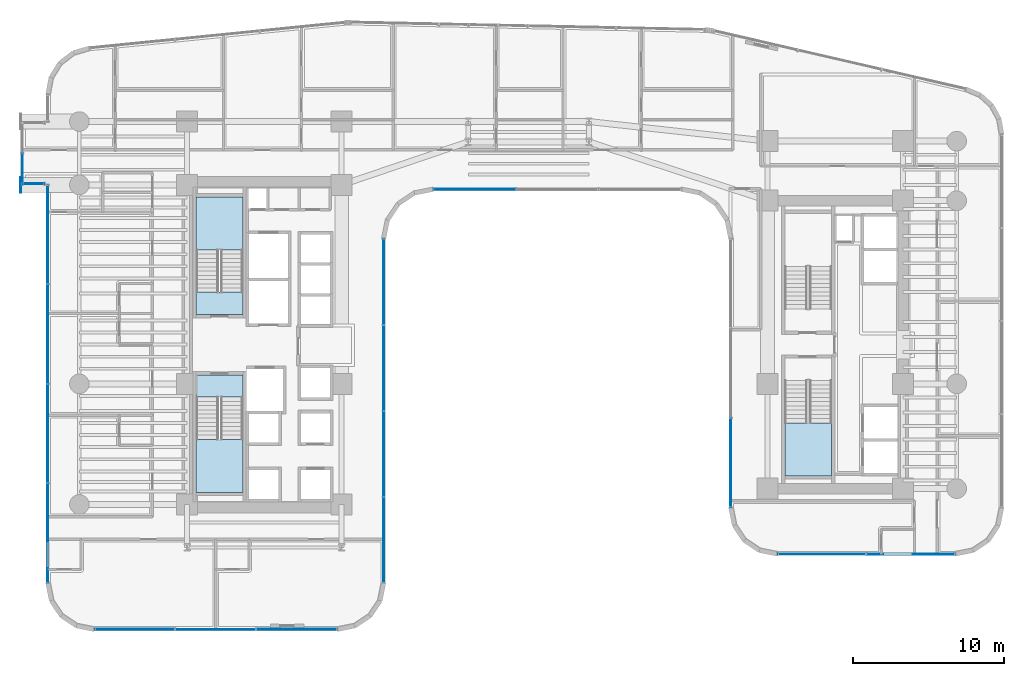
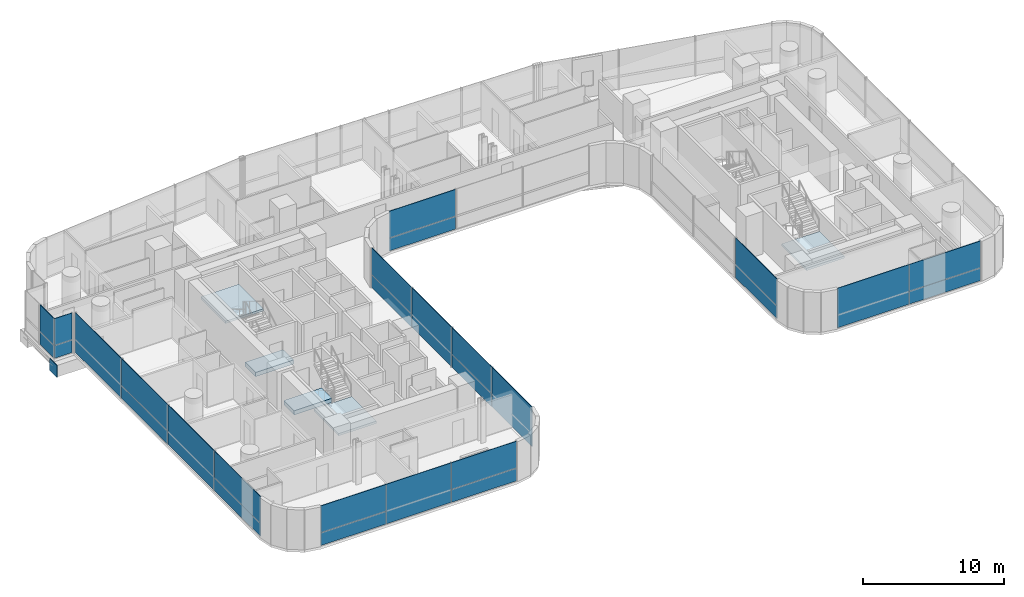
# One storey, part 29 of 42: 29 plates, 5 slabs, 11 elements without a shape of their own.
"""IFC4 building model written with IfcOpenShell, lengths in metres."""

from ifc_helpers import new_model, si_unit, direction, frame, origin, origin_2d, place, context, subcontext, project, spatial, polyline, rectangle, outline, extrude, source, transform, mapped, material, layer, layer_set, type_object, element, aggregate, save


model = new_model("IFC4")

# Units and contexts
model_context = context("Model", 3, precision=1e-05, world=origin(), true_north=direction((0.0, 1.0)))
body_context = subcontext(model_context, "Body", "Model", "MODEL_VIEW")
ifc_project = project(units=[si_unit("LENGTHUNIT", "METRE"), si_unit("AREAUNIT", "SQUARE_METRE"), si_unit("VOLUMEUNIT", "CUBIC_METRE"), si_unit("PLANEANGLEUNIT", "RADIAN"), si_unit("MASSUNIT", "GRAM", prefix="KILO")], contexts=[model_context])

# Site, building, storey
site_placement = place(None, origin())
site = spatial("IfcSite", under=ifc_project, at=site_placement, CompositionType="ELEMENT")
building_placement = place(site_placement, origin())
building = spatial("IfcBuilding", under=site, at=building_placement, Name="Valdorenza Pilgrim Sanctuary Tower", CompositionType="ELEMENT")
storey_placement = place(building_placement, frame((0.0, 0.0, 55.60009765625)))
storey = spatial("IfcBuildingStorey", under=building, at=storey_placement, Name="L13", CompositionType="ELEMENT", Elevation=55.60009765625)

# Stair, slab
ifc_material_1 = material(Name="Concrete C40/50", Category="concrete")
stair_type = type_object("IfcStairType", Name="STR-DOG-CORE", PredefinedType="HALF_TURN_STAIR", material=ifc_material_1)
stair_1_placement = place(storey_placement, origin())
stair_1 = element("IfcStair", 1, at=stair_1_placement, inside=storey, type_object=stair_type, Name="L13 ST-A1", PredefinedType="HALF_TURN_STAIR")
ifc_layer_1 = layer(ifc_material_1, 0.199951171875, Name="Concrete C40/50")
ifc_layer_set_1 = layer_set([ifc_layer_1], Name="Concrete C40/50")
slab_type_1 = type_object("IfcSlabType", Name="SLAB-STL-200", PredefinedType="LANDING", material=ifc_layer_set_1)
slab_1_placement = place(storey_placement, frame((0.0, 0.0, 1.64990234375)))
slab_1 = element("IfcSlab", 2, at=slab_1_placement, type_object=slab_type_1, Name="ST-A1 landing 1", PredefinedType="LANDING", context=body_context, shape_type="SweptSolid", body=[
    extrude(outline(polyline([(-18.93994140625, 6.280029296875), (-18.93994140625, 9.800048828125), (-22.050048828125, 9.800048828125), (-22.050048828125, 6.280029296875), (-18.93994140625, 6.280029296875)])), origin(), (0.0, 0.0, 1.0), 0.199951171875),
])
aggregate(stair_1, [slab_1])

stair_2_placement = place(storey_placement, origin())
stair_2 = element("IfcStair", 3, at=stair_2_placement, inside=storey, type_object=stair_type, Name="L13 ST-A2", PredefinedType="HALF_TURN_STAIR")
slab_2_placement = place(storey_placement, frame((0.0, 0.0, 1.64990234375)))
slab_2 = element("IfcSlab", 4, at=slab_2_placement, type_object=slab_type_1, Name="ST-A2 landing 1", PredefinedType="LANDING", context=body_context, shape_type="SweptSolid", body=[
    extrude(outline(polyline([(-22.050048828125, -6.280029296875), (-22.050048828125, -9.800048828125), (-18.93994140625, -9.800048828125), (-18.93994140625, -6.280029296875), (-22.050048828125, -6.280029296875)])), origin(), (0.0, 0.0, 1.0), 0.199951171875),
])
aggregate(stair_2, [slab_2])

stair_3_placement = place(storey_placement, origin())
stair_3 = element("IfcStair", 5, at=stair_3_placement, inside=storey, type_object=stair_type, Name="L13 ST-B2", PredefinedType="HALF_TURN_STAIR")
slab_3_placement = place(storey_placement, frame((0.0, 0.0, 1.64990234375)))
slab_3 = element("IfcSlab", 6, at=slab_3_placement, type_object=slab_type_1, Name="ST-B2 landing 1", PredefinedType="LANDING", context=body_context, shape_type="SweptSolid", body=[
    extrude(outline(polyline([(17.0, -5.179931640625), (17.0, -8.699951171875), (20.110107421875, -8.699951171875), (20.110107421875, -5.179931640625), (17.0, -5.179931640625)])), origin(), (0.0, 0.0, 1.0), 0.199951171875),
])
aggregate(stair_3, [slab_3])

# Slabs
ifc_material_2 = material(Name="Concrete C50/60", Category="concrete")
ifc_layer_2 = layer(ifc_material_2, 0.39990234375, Name="Concrete C50/60")
ifc_layer_set_2 = layer_set([ifc_layer_2], Name="Concrete C50/60")
slab_type_2 = type_object("IfcSlabType", Name="SLAB-TRF-400", PredefinedType="FLOOR", material=ifc_layer_set_2)
slab_4_placement = place(storey_placement, frame((0.0, 0.0, -0.360107421875)))
element("IfcSlab", 7, at=slab_4_placement, inside=storey, type_object=slab_type_2, Name="L13 ST-A1 Structural Stair Landing Bearing Slab", PredefinedType="FLOOR", context=body_context, shape_type="SweptSolid", body=[
    extrude(outline(polyline([(-22.050048828125, 2.0), (-18.93994140625, 2.0), (-18.93994140625, 3.485107421875), (-22.050048828125, 3.485107421875), (-22.050048828125, 2.0)])), origin(), (0.0, 0.0, 1.0), 0.360107421875),
])
slab_5_placement = place(storey_placement, frame((0.0, 0.0, -0.360107421875)))
element("IfcSlab", 8, at=slab_5_placement, inside=storey, type_object=slab_type_2, Name="L13 ST-A2 Structural Stair Landing Bearing Slab", PredefinedType="FLOOR", context=body_context, shape_type="SweptSolid", body=[
    extrude(outline(polyline([(-22.050048828125, -3.485107421875), (-18.93994140625, -3.485107421875), (-18.93994140625, -2.0), (-22.050048828125, -2.0), (-22.050048828125, -3.485107421875)])), origin(), (0.0, 0.0, 1.0), 0.360107421875),
])

# Plate
ifc_material_3 = material(Name="Steel ASTM A572 Grade 42", Category="steel")
ifc_layer_3 = layer(ifc_material_3, 0.06005859375, Name="Steel ASTM A572 Grade 42")
ifc_layer_set_3 = layer_set([ifc_layer_3], Name="Steel ASTM A572 Grade 42")
plate_type_1 = type_object("IfcPlateType", Name="PLT-CAP-60", PredefinedType="SHEET", material=ifc_layer_set_3)
shared_shape_1 = source(origin(), body_context, "Body", "SweptSolid", [
    extrude(rectangle(XDim=0.06005859375, YDim=1.0400390625, at=origin_2d()), origin(), (0.0, 0.0, 1.0), 1.0400390625),
])
plate_1_placement = place(storey_placement, frame((-33.679931640625, 10.60009765625, -1.260009765625), z_axis=(0.0, 0.0, 1.0), x_axis=(1.0, 0.0, 0.0)))
element("IfcPlate", 9, at=plate_1_placement, inside=storey, type_object=plate_type_1, Name="L13 BOX-WA-L13 Cantilever Tip End Cap S", PredefinedType="SHEET", context=body_context, shape_type="MappedRepresentation", body=[
    mapped(shared_shape_1, transform((0.0, 0.0, 0.0), x_axis=(1.0, 0.0, 0.0), y_axis=(0.0, 1.0, 0.0), z_axis=(0.0, 0.0, 1.0), scale=1.0)),
])

# Curtain wall, plates
ifc_material_4 = material(Name="Curtain-wall IGU glazing", Category="glass")
curtain_wall_type_1 = type_object("IfcCurtainWallType", Name="CW-SYS-03", PredefinedType="NOTDEFINED", material=ifc_material_4)
curtain_wall_1_placement = place(storey_placement, origin())
curtain_wall_1 = element("IfcCurtainWall", 10, at=curtain_wall_1_placement, inside=storey, type_object=curtain_wall_type_1, Name="L13 Curtain Wall CW-L13-1-26", PredefinedType="NOTDEFINED")
ifc_material_5 = material(Name="Honed travertine limestone", Category="masonry")
ifc_layer_4 = layer(ifc_material_5, 0.050048828125, Name="Honed travertine limestone")
ifc_layer_set_4 = layer_set([ifc_layer_4], Name="Honed travertine limestone")
plate_type_2 = type_object("IfcPlateType", Name="CW-SPN-TRV", PredefinedType="USERDEFINED", material=ifc_layer_set_4)
shared_shape_2 = source(origin(), body_context, "Body", "SweptSolid", [
    extrude(rectangle(XDim=5.869140625, YDim=0.06005859375, at=origin_2d()), origin(), (0.0, 0.0, 1.0), 1.10009765625),
])
plate_2_placement = place(storey_placement, frame((25.344482421875, -13.889892578125, 0.009765625), z_axis=(0.0, 0.0, 1.0), x_axis=(-1.0, 0.0, 0.0)))
plate_2 = element("IfcPlate", 11, at=plate_2_placement, type_object=plate_type_2, Name="CW-L13-1-26 Travertine Spandrel 1", ObjectType="SPANDREL", PredefinedType="USERDEFINED", context=body_context, shape_type="MappedRepresentation", body=[
    mapped(shared_shape_2, transform((0.0, 0.0, 0.0), x_axis=(1.0, 0.0, 0.0), y_axis=(0.0, 1.0, 0.0), z_axis=(0.0, 0.0, 1.0), scale=1.0)),
])
ifc_material_6 = material(Name="Ceramic-fritted low-E IGU glazing", Category="glass")
ifc_layer_5 = layer(ifc_material_6, 0.035888671875, Name="Ceramic-fritted low-E IGU glazing")
ifc_layer_set_5 = layer_set([ifc_layer_5], Name="Ceramic-fritted low-E IGU glazing")
plate_type_3 = type_object("IfcPlateType", Name="CW-GLZ-IGU", PredefinedType="USERDEFINED", material=ifc_layer_set_5)
shared_shape_3 = source(origin(), body_context, "Body", "SweptSolid", [
    extrude(rectangle(XDim=5.869140625, YDim=0.050048828125, at=origin_2d()), origin(), (0.0, 0.0, 1.0), 2.320068359375),
])
plate_3_placement = place(storey_placement, frame((25.344482421875, -13.889892578125, 1.1298828125), z_axis=(0.0, 0.0, 1.0), x_axis=(-1.0, 0.0, 0.0)))
plate_3 = element("IfcPlate", 12, at=plate_3_placement, type_object=plate_type_3, Name="CW-L13-1-26 Facade Panel 1", ObjectType="GLAZING", PredefinedType="USERDEFINED", context=body_context, shape_type="MappedRepresentation", body=[
    mapped(shared_shape_3, transform((0.0, 0.0, 0.0), x_axis=(1.0, 0.0, 0.0), y_axis=(0.0, 1.0, 0.0), z_axis=(0.0, 0.0, 1.0), scale=1.0)),
])
shared_shape_4 = source(origin(), body_context, "Body", "SweptSolid", [
    extrude(rectangle(XDim=5.869140625, YDim=0.050048828125, at=origin_2d()), origin(), (0.0, 0.0, 1.0), 3.43994140625),
])
plate_4_placement = place(storey_placement, frame((19.455322265625, -13.889892578125, 0.010009765625), z_axis=(0.0, 0.0, 1.0), x_axis=(-1.0, 0.0, 0.0)))
plate_4 = element("IfcPlate", 13, at=plate_4_placement, type_object=plate_type_3, Name="CW-L13-1-26 Full-Height Facade Panel 2", ObjectType="GLAZING", PredefinedType="USERDEFINED", context=body_context, shape_type="MappedRepresentation", body=[
    mapped(shared_shape_4, transform((0.0, 0.0, 0.0), x_axis=(1.0, 0.0, 0.0), y_axis=(0.0, 1.0, 0.0), z_axis=(0.0, 0.0, 1.0), scale=1.0)),
])
aggregate(curtain_wall_1, [plate_2, plate_3, plate_4])

curtain_wall_2_placement = place(storey_placement, origin())
curtain_wall_2 = element("IfcCurtainWall", 14, at=curtain_wall_2_placement, inside=storey, type_object=curtain_wall_type_1, Name="L13 Curtain Wall CW-L13-1-31", PredefinedType="NOTDEFINED")
shared_shape_5 = source(origin(), body_context, "Body", "SweptSolid", [
    extrude(rectangle(XDim=5.913330078125, YDim=0.06005859375, at=origin_2d()), origin(), (0.0, 0.0, 1.0), 1.10009765625),
])
plate_5_placement = place(storey_placement, frame((13.409912109375, -7.822509765625, 0.009765625), z_axis=(0.0, 0.0, 1.0), x_axis=(0.0, 1.0, 0.0)))
plate_5 = element("IfcPlate", 15, at=plate_5_placement, type_object=plate_type_2, Name="CW-L13-1-31 Travertine Spandrel 1", ObjectType="SPANDREL", PredefinedType="USERDEFINED", context=body_context, shape_type="MappedRepresentation", body=[
    mapped(shared_shape_5, transform((0.0, 0.0, 0.0), x_axis=(1.0, 0.0, 0.0), y_axis=(0.0, 1.0, 0.0), z_axis=(0.0, 0.0, 1.0), scale=1.0)),
])
shared_shape_6 = source(origin(), body_context, "Body", "SweptSolid", [
    extrude(rectangle(XDim=5.913330078125, YDim=0.050048828125, at=origin_2d()), origin(), (0.0, 0.0, 1.0), 2.320068359375),
])
plate_6_placement = place(storey_placement, frame((13.409912109375, -7.822509765625, 1.1298828125), z_axis=(0.0, 0.0, 1.0), x_axis=(0.0, 1.0, 0.0)))
plate_6 = element("IfcPlate", 16, at=plate_6_placement, type_object=plate_type_3, Name="CW-L13-1-31 Facade Panel 1", ObjectType="GLAZING", PredefinedType="USERDEFINED", context=body_context, shape_type="MappedRepresentation", body=[
    mapped(shared_shape_6, transform((0.0, 0.0, 0.0), x_axis=(1.0, 0.0, 0.0), y_axis=(0.0, 1.0, 0.0), z_axis=(0.0, 0.0, 1.0), scale=1.0)),
])
aggregate(curtain_wall_2, [plate_5, plate_6])

curtain_wall_type_2 = type_object("IfcCurtainWallType", Name="CW-SYS-02", PredefinedType="NOTDEFINED", material=ifc_material_4)
curtain_wall_3_placement = place(storey_placement, origin())
curtain_wall_3 = element("IfcCurtainWall", 17, at=curtain_wall_3_placement, inside=storey, type_object=curtain_wall_type_2, Name="L13 Curtain Wall CW-L13-1-36", PredefinedType="NOTDEFINED")
shared_shape_7 = source(origin(), body_context, "Body", "SweptSolid", [
    extrude(rectangle(XDim=5.453857421875, YDim=0.06005859375, at=origin_2d()), origin(), (0.0, 0.0, 1.0), 1.10009765625),
])
plate_7_placement = place(storey_placement, frame((-3.573974609375, 10.31005859375, 0.009765625), z_axis=(0.0, 0.0, 1.0), x_axis=(-1.0, 0.0, 0.0)))
plate_7 = element("IfcPlate", 18, at=plate_7_placement, type_object=plate_type_2, Name="CW-L13-1-36 Travertine Spandrel 3", ObjectType="SPANDREL", PredefinedType="USERDEFINED", context=body_context, shape_type="MappedRepresentation", body=[
    mapped(shared_shape_7, transform((0.0, 0.0, 0.0), x_axis=(1.0, 0.0, 0.0), y_axis=(0.0, 1.0, 0.0), z_axis=(0.0, 0.0, 1.0), scale=1.0)),
])
shared_shape_8 = source(origin(), body_context, "Body", "SweptSolid", [
    extrude(rectangle(XDim=5.453857421875, YDim=0.050048828125, at=origin_2d()), origin(), (0.0, 0.0, 1.0), 2.320068359375),
])
plate_8_placement = place(storey_placement, frame((-3.573974609375, 10.31005859375, 1.1298828125), z_axis=(0.0, 0.0, 1.0), x_axis=(-1.0, 0.0, 0.0)))
plate_8 = element("IfcPlate", 19, at=plate_8_placement, type_object=plate_type_3, Name="CW-L13-1-36 Facade Panel 3", ObjectType="GLAZING", PredefinedType="USERDEFINED", context=body_context, shape_type="MappedRepresentation", body=[
    mapped(shared_shape_8, transform((0.0, 0.0, 0.0), x_axis=(1.0, 0.0, 0.0), y_axis=(0.0, 1.0, 0.0), z_axis=(0.0, 0.0, 1.0), scale=1.0)),
])
aggregate(curtain_wall_3, [plate_7, plate_8])

curtain_wall_4_placement = place(storey_placement, origin())
curtain_wall_4 = element("IfcCurtainWall", 20, at=curtain_wall_4_placement, inside=storey, type_object=curtain_wall_type_2, Name="L13 Curtain Wall CW-L13-1-41", PredefinedType="NOTDEFINED")
shared_shape_9 = source(origin(), body_context, "Body", "SweptSolid", [
    extrude(rectangle(XDim=5.679931640625, YDim=0.06005859375, at=origin_2d()), origin(), (0.0, 0.0, 1.0), 1.10009765625),
])
plate_9_placement = place(storey_placement, frame((-9.610107421875, 4.160888671875, 0.009765625), z_axis=(0.0, 0.0, 1.0), x_axis=(0.0, -1.0, 0.0)))
plate_9 = element("IfcPlate", 21, at=plate_9_placement, type_object=plate_type_2, Name="CW-L13-1-41 Travertine Spandrel 1", ObjectType="SPANDREL", PredefinedType="USERDEFINED", context=body_context, shape_type="MappedRepresentation", body=[
    mapped(shared_shape_9, transform((0.0, 0.0, 0.0), x_axis=(1.0, 0.0, 0.0), y_axis=(0.0, 1.0, 0.0), z_axis=(0.0, 0.0, 1.0), scale=1.0)),
])
plate_10_placement = place(storey_placement, frame((-9.610107421875, -7.2392578125, 0.009765625), z_axis=(0.0, 0.0, 1.0), x_axis=(0.0, -1.0, 0.0)))
plate_10 = element("IfcPlate", 22, at=plate_10_placement, type_object=plate_type_2, Name="CW-L13-1-41 Travertine Spandrel 3", ObjectType="SPANDREL", PredefinedType="USERDEFINED", context=body_context, shape_type="MappedRepresentation", body=[
    mapped(shared_shape_9, transform((0.0, 0.0, 0.0), x_axis=(1.0, 0.0, 0.0), y_axis=(0.0, 1.0, 0.0), z_axis=(0.0, 0.0, 1.0), scale=1.0)),
])
shared_shape_10 = source(origin(), body_context, "Body", "SweptSolid", [
    extrude(rectangle(XDim=5.679931640625, YDim=0.050048828125, at=origin_2d()), origin(), (0.0, 0.0, 1.0), 2.320068359375),
])
plate_11_placement = place(storey_placement, frame((-9.610107421875, 4.160888671875, 1.1298828125), z_axis=(0.0, 0.0, 1.0), x_axis=(0.0, -1.0, 0.0)))
plate_11 = element("IfcPlate", 23, at=plate_11_placement, type_object=plate_type_3, Name="CW-L13-1-41 Facade Panel 1", ObjectType="GLAZING", PredefinedType="USERDEFINED", context=body_context, shape_type="MappedRepresentation", body=[
    mapped(shared_shape_10, transform((0.0, 0.0, 0.0), x_axis=(1.0, 0.0, 0.0), y_axis=(0.0, 1.0, 0.0), z_axis=(0.0, 0.0, 1.0), scale=1.0)),
])
plate_12_placement = place(storey_placement, frame((-9.610107421875, -7.2392578125, 1.1298828125), z_axis=(0.0, 0.0, 1.0), x_axis=(0.0, -1.0, 0.0)))
plate_12 = element("IfcPlate", 24, at=plate_12_placement, type_object=plate_type_3, Name="CW-L13-1-41 Facade Panel 3", ObjectType="GLAZING", PredefinedType="USERDEFINED", context=body_context, shape_type="MappedRepresentation", body=[
    mapped(shared_shape_10, transform((0.0, 0.0, 0.0), x_axis=(1.0, 0.0, 0.0), y_axis=(0.0, 1.0, 0.0), z_axis=(0.0, 0.0, 1.0), scale=1.0)),
])
shared_shape_11 = source(origin(), body_context, "Body", "SweptSolid", [
    extrude(rectangle(XDim=5.679931640625, YDim=0.050048828125, at=origin_2d()), origin(), (0.0, 0.0, 1.0), 3.43994140625),
])
plate_13_placement = place(storey_placement, frame((-9.610107421875, -1.539306640625, 0.010009765625), z_axis=(0.0, 0.0, 1.0), x_axis=(0.0, -1.0, 0.0)))
plate_13 = element("IfcPlate", 25, at=plate_13_placement, type_object=plate_type_3, Name="CW-L13-1-41 Full-Height Facade Panel 2", ObjectType="GLAZING", PredefinedType="USERDEFINED", context=body_context, shape_type="MappedRepresentation", body=[
    mapped(shared_shape_11, transform((0.0, 0.0, 0.0), x_axis=(1.0, 0.0, 0.0), y_axis=(0.0, 1.0, 0.0), z_axis=(0.0, 0.0, 1.0), scale=1.0)),
])
plate_14_placement = place(storey_placement, frame((-9.610107421875, -12.939208984375, 0.010009765625), z_axis=(0.0, 0.0, 1.0), x_axis=(0.0, -1.0, 0.0)))
plate_14 = element("IfcPlate", 26, at=plate_14_placement, type_object=plate_type_3, Name="CW-L13-1-41 Full-Height Facade Panel 4", ObjectType="GLAZING", PredefinedType="USERDEFINED", context=body_context, shape_type="MappedRepresentation", body=[
    mapped(shared_shape_11, transform((0.0, 0.0, 0.0), x_axis=(1.0, 0.0, 0.0), y_axis=(0.0, 1.0, 0.0), z_axis=(0.0, 0.0, 1.0), scale=1.0)),
])
aggregate(curtain_wall_4, [plate_9, plate_11, plate_13, plate_10, plate_12, plate_14])

curtain_wall_5_placement = place(storey_placement, origin())
curtain_wall_5 = element("IfcCurtainWall", 27, at=curtain_wall_5_placement, inside=storey, type_object=curtain_wall_type_2, Name="L13 Curtain Wall CW-L13-1-46", PredefinedType="NOTDEFINED")
shared_shape_12 = source(origin(), body_context, "Body", "SweptSolid", [
    extrude(rectangle(XDim=5.339599609375, YDim=0.06005859375, at=origin_2d()), origin(), (0.0, 0.0, 1.0), 1.10009765625),
])
plate_15_placement = place(storey_placement, frame((-15.390380859375, -18.889892578125, 0.009765625), z_axis=(0.0, 0.0, 1.0), x_axis=(-1.0, 0.0, 0.0)))
plate_15 = element("IfcPlate", 28, at=plate_15_placement, type_object=plate_type_2, Name="CW-L13-1-46 Travertine Spandrel 1", ObjectType="SPANDREL", PredefinedType="USERDEFINED", context=body_context, shape_type="MappedRepresentation", body=[
    mapped(shared_shape_12, transform((0.0, 0.0, 0.0), x_axis=(1.0, 0.0, 0.0), y_axis=(0.0, 1.0, 0.0), z_axis=(0.0, 0.0, 1.0), scale=1.0)),
])
plate_16_placement = place(storey_placement, frame((-26.109619140625, -18.889892578125, 0.009765625), z_axis=(0.0, 0.0, 1.0), x_axis=(-1.0, 0.0, 0.0)))
plate_16 = element("IfcPlate", 29, at=plate_16_placement, type_object=plate_type_2, Name="CW-L13-1-46 Travertine Spandrel 3", ObjectType="SPANDREL", PredefinedType="USERDEFINED", context=body_context, shape_type="MappedRepresentation", body=[
    mapped(shared_shape_12, transform((0.0, 0.0, 0.0), x_axis=(1.0, 0.0, 0.0), y_axis=(0.0, 1.0, 0.0), z_axis=(0.0, 0.0, 1.0), scale=1.0)),
])
shared_shape_13 = source(origin(), body_context, "Body", "SweptSolid", [
    extrude(rectangle(XDim=5.339599609375, YDim=0.050048828125, at=origin_2d()), origin(), (0.0, 0.0, 1.0), 2.320068359375),
])
plate_17_placement = place(storey_placement, frame((-15.390380859375, -18.889892578125, 1.1298828125), z_axis=(0.0, 0.0, 1.0), x_axis=(-1.0, 0.0, 0.0)))
plate_17 = element("IfcPlate", 30, at=plate_17_placement, type_object=plate_type_3, Name="CW-L13-1-46 Facade Panel 1", ObjectType="GLAZING", PredefinedType="USERDEFINED", context=body_context, shape_type="MappedRepresentation", body=[
    mapped(shared_shape_13, transform((0.0, 0.0, 0.0), x_axis=(1.0, 0.0, 0.0), y_axis=(0.0, 1.0, 0.0), z_axis=(0.0, 0.0, 1.0), scale=1.0)),
])
plate_18_placement = place(storey_placement, frame((-26.109619140625, -18.889892578125, 1.1298828125), z_axis=(0.0, 0.0, 1.0), x_axis=(-1.0, 0.0, 0.0)))
plate_18 = element("IfcPlate", 31, at=plate_18_placement, type_object=plate_type_3, Name="CW-L13-1-46 Facade Panel 3", ObjectType="GLAZING", PredefinedType="USERDEFINED", context=body_context, shape_type="MappedRepresentation", body=[
    mapped(shared_shape_13, transform((0.0, 0.0, 0.0), x_axis=(1.0, 0.0, 0.0), y_axis=(0.0, 1.0, 0.0), z_axis=(0.0, 0.0, 1.0), scale=1.0)),
])
shared_shape_14 = source(origin(), body_context, "Body", "SweptSolid", [
    extrude(rectangle(XDim=5.339599609375, YDim=0.050048828125, at=origin_2d()), origin(), (0.0, 0.0, 1.0), 3.43994140625),
])
plate_19_placement = place(storey_placement, frame((-20.75, -18.889892578125, 0.010009765625), z_axis=(0.0, 0.0, 1.0), x_axis=(-1.0, 0.0, 0.0)))
plate_19 = element("IfcPlate", 32, at=plate_19_placement, type_object=plate_type_3, Name="CW-L13-1-46 Full-Height Facade Panel 2", ObjectType="GLAZING", PredefinedType="USERDEFINED", context=body_context, shape_type="MappedRepresentation", body=[
    mapped(shared_shape_14, transform((0.0, 0.0, 0.0), x_axis=(1.0, 0.0, 0.0), y_axis=(0.0, 1.0, 0.0), z_axis=(0.0, 0.0, 1.0), scale=1.0)),
])
aggregate(curtain_wall_5, [plate_15, plate_17, plate_19, plate_16, plate_18])

curtain_wall_6_placement = place(storey_placement, origin())
curtain_wall_6 = element("IfcCurtainWall", 33, at=curtain_wall_6_placement, inside=storey, type_object=curtain_wall_type_2, Name="L13 Curtain Wall CW-L13-BOX-WA-L13-S", PredefinedType="NOTDEFINED")
shared_shape_15 = source(origin(), body_context, "Body", "SweptSolid", [
    extrude(rectangle(XDim=1.43994140625, YDim=0.06005859375, at=origin_2d()), origin(), (0.0, 0.0, 1.0), 1.10009765625),
])
plate_20_placement = place(storey_placement, frame((-32.840087890625, 10.679931640625, 0.009765625), z_axis=(0.0, 0.0, 1.0), x_axis=(-1.0, 0.0, 0.0)))
plate_20 = element("IfcPlate", 34, at=plate_20_placement, type_object=plate_type_2, Name="CW-L13-BOX-WA-L13-S Travertine Spandrel 1", ObjectType="SPANDREL", PredefinedType="USERDEFINED", context=body_context, shape_type="MappedRepresentation", body=[
    mapped(shared_shape_15, transform((0.0, 0.0, 0.0), x_axis=(1.0, 0.0, 0.0), y_axis=(0.0, 1.0, 0.0), z_axis=(0.0, 0.0, 1.0), scale=1.0)),
])
shared_shape_16 = source(origin(), body_context, "Body", "SweptSolid", [
    extrude(rectangle(XDim=1.43994140625, YDim=0.050048828125, at=origin_2d()), origin(), (0.0, 0.0, 1.0), 2.320068359375),
])
plate_21_placement = place(storey_placement, frame((-32.840087890625, 10.679931640625, 1.1298828125), z_axis=(0.0, 0.0, 1.0), x_axis=(-1.0, 0.0, 0.0)))
plate_21 = element("IfcPlate", 35, at=plate_21_placement, type_object=plate_type_3, Name="CW-L13-BOX-WA-L13-S Facade Panel 1", ObjectType="GLAZING", PredefinedType="USERDEFINED", context=body_context, shape_type="MappedRepresentation", body=[
    mapped(shared_shape_16, transform((0.0, 0.0, 0.0), x_axis=(1.0, 0.0, 0.0), y_axis=(0.0, 1.0, 0.0), z_axis=(0.0, 0.0, 1.0), scale=1.0)),
])
aggregate(curtain_wall_6, [plate_20, plate_21])

curtain_wall_7_placement = place(storey_placement, origin())
curtain_wall_7 = element("IfcCurtainWall", 36, at=curtain_wall_7_placement, inside=storey, type_object=curtain_wall_type_2, Name="L13 Curtain Wall CW-L13-1-1S1", PredefinedType="NOTDEFINED")
shared_shape_17 = source(origin(), body_context, "Body", "SweptSolid", [
    extrude(rectangle(XDim=6.577392578125, YDim=0.06005859375, at=origin_2d()), origin(), (0.0, 0.0, 1.0), 1.10009765625),
])
plate_22_placement = place(storey_placement, frame((-31.889892578125, -12.490478515625, 0.009765625), z_axis=(0.0, 0.0, 1.0), x_axis=(0.0, 1.0, 0.0)))
plate_22 = element("IfcPlate", 37, at=plate_22_placement, type_object=plate_type_2, Name="CW-L13-1-1S1 Travertine Spandrel 1", ObjectType="SPANDREL", PredefinedType="USERDEFINED", context=body_context, shape_type="MappedRepresentation", body=[
    mapped(shared_shape_17, transform((0.0, 0.0, 0.0), x_axis=(1.0, 0.0, 0.0), y_axis=(0.0, 1.0, 0.0), z_axis=(0.0, 0.0, 1.0), scale=1.0)),
])
plate_23_placement = place(storey_placement, frame((-31.889892578125, 0.7041015625, 0.009765625), z_axis=(0.0, 0.0, 1.0), x_axis=(0.0, 1.0, 0.0)))
plate_23 = element("IfcPlate", 38, at=plate_23_placement, type_object=plate_type_2, Name="CW-L13-1-1S1 Travertine Spandrel 3", ObjectType="SPANDREL", PredefinedType="USERDEFINED", context=body_context, shape_type="MappedRepresentation", body=[
    mapped(shared_shape_17, transform((0.0, 0.0, 0.0), x_axis=(1.0, 0.0, 0.0), y_axis=(0.0, 1.0, 0.0), z_axis=(0.0, 0.0, 1.0), scale=1.0)),
])
shared_shape_18 = source(origin(), body_context, "Body", "SweptSolid", [
    extrude(rectangle(XDim=6.577392578125, YDim=0.050048828125, at=origin_2d()), origin(), (0.0, 0.0, 1.0), 2.320068359375),
])
plate_24_placement = place(storey_placement, frame((-31.889892578125, -12.490478515625, 1.1298828125), z_axis=(0.0, 0.0, 1.0), x_axis=(0.0, 1.0, 0.0)))
plate_24 = element("IfcPlate", 39, at=plate_24_placement, type_object=plate_type_3, Name="CW-L13-1-1S1 Facade Panel 1", ObjectType="GLAZING", PredefinedType="USERDEFINED", context=body_context, shape_type="MappedRepresentation", body=[
    mapped(shared_shape_18, transform((0.0, 0.0, 0.0), x_axis=(1.0, 0.0, 0.0), y_axis=(0.0, 1.0, 0.0), z_axis=(0.0, 0.0, 1.0), scale=1.0)),
])
plate_25_placement = place(storey_placement, frame((-31.889892578125, 0.7041015625, 1.1298828125), z_axis=(0.0, 0.0, 1.0), x_axis=(0.0, 1.0, 0.0)))
plate_25 = element("IfcPlate", 40, at=plate_25_placement, type_object=plate_type_3, Name="CW-L13-1-1S1 Facade Panel 3", ObjectType="GLAZING", PredefinedType="USERDEFINED", context=body_context, shape_type="MappedRepresentation", body=[
    mapped(shared_shape_18, transform((0.0, 0.0, 0.0), x_axis=(1.0, 0.0, 0.0), y_axis=(0.0, 1.0, 0.0), z_axis=(0.0, 0.0, 1.0), scale=1.0)),
])
shared_shape_19 = source(origin(), body_context, "Body", "SweptSolid", [
    extrude(rectangle(XDim=6.577392578125, YDim=0.050048828125, at=origin_2d()), origin(), (0.0, 0.0, 1.0), 3.43994140625),
])
plate_26_placement = place(storey_placement, frame((-31.889892578125, -5.893310546875, 0.010009765625), z_axis=(0.0, 0.0, 1.0), x_axis=(0.0, 1.0, 0.0)))
plate_26 = element("IfcPlate", 41, at=plate_26_placement, type_object=plate_type_3, Name="CW-L13-1-1S1 Full-Height Facade Panel 2", ObjectType="GLAZING", PredefinedType="USERDEFINED", context=body_context, shape_type="MappedRepresentation", body=[
    mapped(shared_shape_19, transform((0.0, 0.0, 0.0), x_axis=(1.0, 0.0, 0.0), y_axis=(0.0, 1.0, 0.0), z_axis=(0.0, 0.0, 1.0), scale=1.0)),
])
plate_27_placement = place(storey_placement, frame((-31.889892578125, 7.301513671875, 0.010009765625), z_axis=(0.0, 0.0, 1.0), x_axis=(0.0, 1.0, 0.0)))
plate_27 = element("IfcPlate", 42, at=plate_27_placement, type_object=plate_type_3, Name="CW-L13-1-1S1 Full-Height Facade Panel 4", ObjectType="GLAZING", PredefinedType="USERDEFINED", context=body_context, shape_type="MappedRepresentation", body=[
    mapped(shared_shape_19, transform((0.0, 0.0, 0.0), x_axis=(1.0, 0.0, 0.0), y_axis=(0.0, 1.0, 0.0), z_axis=(0.0, 0.0, 1.0), scale=1.0)),
])
aggregate(curtain_wall_7, [plate_22, plate_24, plate_26, plate_23, plate_25, plate_27])

curtain_wall_8_placement = place(storey_placement, origin())
curtain_wall_8 = element("IfcCurtainWall", 43, at=curtain_wall_8_placement, inside=storey, type_object=curtain_wall_type_2, Name="L13 Curtain Wall CW-L13-BOX-WA-L13-F", PredefinedType="NOTDEFINED")
shared_shape_20 = source(origin(), body_context, "Body", "SweptSolid", [
    extrude(rectangle(XDim=2.0, YDim=0.06005859375, at=origin_2d()), origin(), (0.0, 0.0, 1.0), 1.10009765625),
])
plate_28_placement = place(storey_placement, frame((-33.570068359375, 11.68994140625, 0.009765625), z_axis=(0.0, 0.0, 1.0), x_axis=(0.0, 1.0, 0.0)))
plate_28 = element("IfcPlate", 44, at=plate_28_placement, type_object=plate_type_2, Name="CW-L13-BOX-WA-L13-F Travertine Spandrel 1", ObjectType="SPANDREL", PredefinedType="USERDEFINED", context=body_context, shape_type="MappedRepresentation", body=[
    mapped(shared_shape_20, transform((0.0, 0.0, 0.0), x_axis=(1.0, 0.0, 0.0), y_axis=(0.0, 1.0, 0.0), z_axis=(0.0, 0.0, 1.0), scale=1.0)),
])
shared_shape_21 = source(origin(), body_context, "Body", "SweptSolid", [
    extrude(rectangle(XDim=2.0, YDim=0.050048828125, at=origin_2d()), origin(), (0.0, 0.0, 1.0), 2.320068359375),
])
plate_29_placement = place(storey_placement, frame((-33.570068359375, 11.68994140625, 1.1298828125), z_axis=(0.0, 0.0, 1.0), x_axis=(0.0, 1.0, 0.0)))
plate_29 = element("IfcPlate", 45, at=plate_29_placement, type_object=plate_type_3, Name="CW-L13-BOX-WA-L13-F Facade Panel 1", ObjectType="GLAZING", PredefinedType="USERDEFINED", context=body_context, shape_type="MappedRepresentation", body=[
    mapped(shared_shape_21, transform((0.0, 0.0, 0.0), x_axis=(1.0, 0.0, 0.0), y_axis=(0.0, 1.0, 0.0), z_axis=(0.0, 0.0, 1.0), scale=1.0)),
])
aggregate(curtain_wall_8, [plate_28, plate_29])

save(model, "model.ifc")
